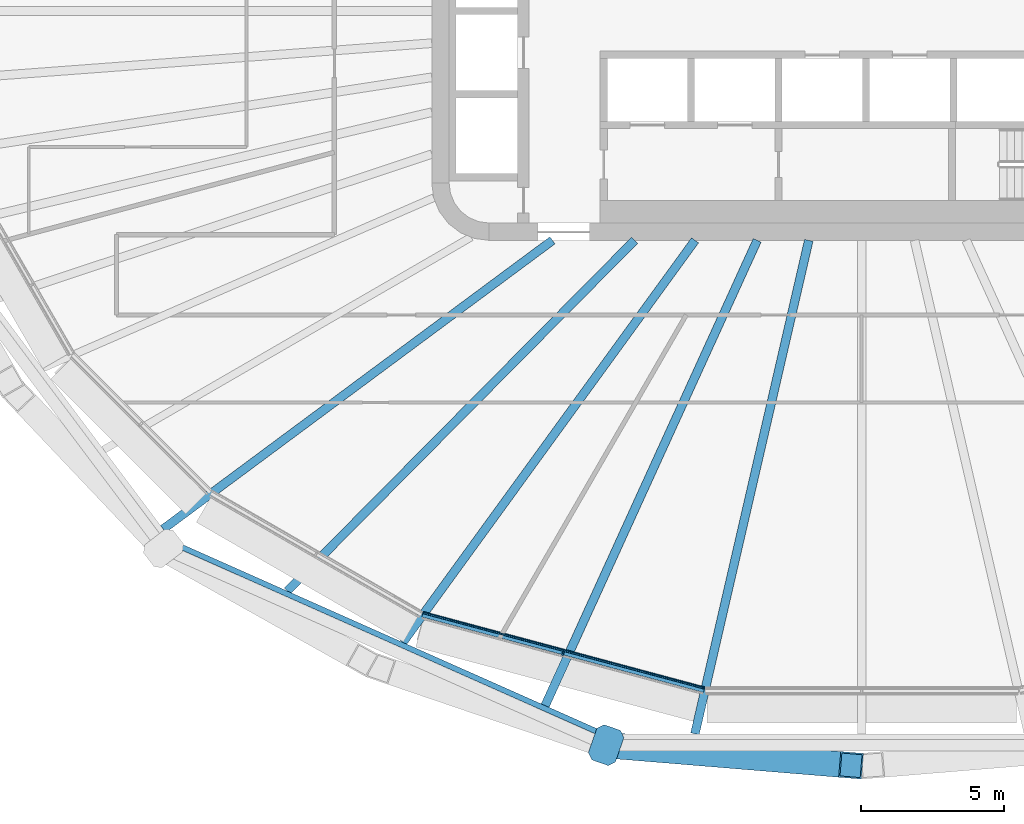
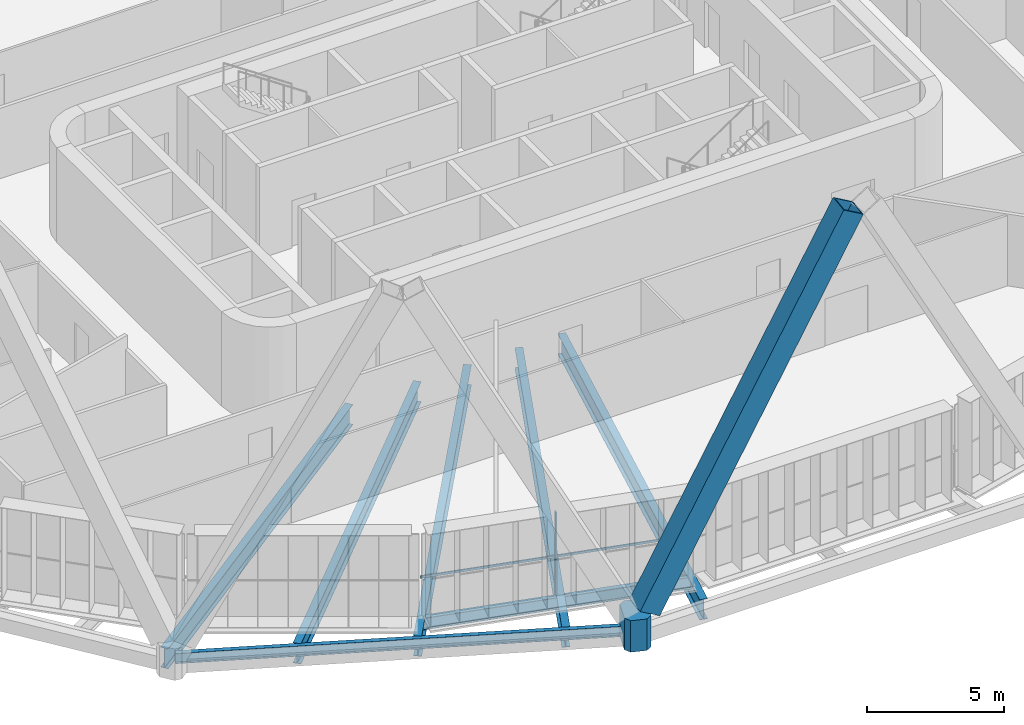
# One storey, part 2 of 26: 7 beams, 4 members, 1 element without a shape of its own.
"""IFC4 building model written with IfcOpenShell, lengths in metres."""

from ifc_helpers import new_model, si_unit, direction, frame, origin, origin_2d, place, context, subcontext, project, spatial, polyline, rectangle, hollow_rectangle, i_section, outline, extrude, material, layer, layer_set, material_profile, profile_set, type_object, element, aggregate, save


model = new_model("IFC4")

# Units and contexts
model_context = context("Model", 3, precision=1e-05, world=origin(), true_north=direction((0.0, 1.0)))
body_context = subcontext(model_context, "Body", "Model", "MODEL_VIEW")
ifc_project = project(units=[si_unit("LENGTHUNIT", "METRE"), si_unit("AREAUNIT", "SQUARE_METRE"), si_unit("VOLUMEUNIT", "CUBIC_METRE"), si_unit("PLANEANGLEUNIT", "RADIAN"), si_unit("MASSUNIT", "GRAM", prefix="KILO")], contexts=[model_context])

# Site, building, storey
site_placement = place(None, origin())
site = spatial("IfcSite", under=ifc_project, at=site_placement, CompositionType="ELEMENT")
building_placement = place(site_placement, origin())
building = spatial("IfcBuilding", under=site, at=building_placement, Name="Sahrelin Media Tower", CompositionType="ELEMENT")
storey_placement = place(building_placement, frame((0.0, 0.0, 131.39990234375)))
storey = spatial("IfcBuildingStorey", under=building, at=storey_placement, Name="L26", CompositionType="ELEMENT", Elevation=131.39990234375)

# Members
ifc_material_1 = material(Name="Steel S460", Category="steel")
ifc_material_profile_1 = material_profile(ifc_material_1, hollow_rectangle(XDim=0.89990234375, YDim=0.89990234375, WallThickness=0.050048828125, at=origin_2d()), Name="Diagrid diagonal DG3")
ifc_profile_set_1 = profile_set([ifc_material_profile_1], Name="Steel S460")
member_type_1 = type_object("IfcMemberType", Name="Diagrid diagonal DG3", PredefinedType="BRACE", material=ifc_profile_set_1)
member_1_placement = place(storey_placement, frame((-8.544189453125, -25.641845703125, 0.7001953125), z_axis=(0.468421655714, -0.03859318675, 0.882661723649), x_axis=(0.082111624118, 0.996623138997, 0.0)))
element("IfcMember", 1, at=member_1_placement, inside=storey, type_object=member_type_1, Name="Diagrid diagonal D05-17", PredefinedType="BRACE", context=body_context, shape_type="SweptSolid", body=[
    extrude(hollow_rectangle(XDim=0.89990234375, YDim=0.89990234375, WallThickness=0.050048828125, at=origin_2d()), origin(), (0.0, 0.0, 1.0), 17.447021484375),
])
ifc_material_profile_2 = material_profile(ifc_material_1, outline(polyline([(0.449951171875, -0.5), (0.64990234375, -0.300048828125), (0.64990234375, 0.300048828125), (0.449951171875, 0.5), (-0.449951171875, 0.5), (-0.64990234375, 0.300048828125), (-0.64990234375, -0.300048828125), (-0.449951171875, -0.5), (0.449951171875, -0.5)])), Name="Diagrid node block 1300")
ifc_profile_set_2 = profile_set([ifc_material_profile_2], Name="Steel S460")
member_type_2 = type_object("IfcMemberType", Name="Diagrid node block 1300", PredefinedType="USERDEFINED", material=ifc_profile_set_2)
member_2_placement = place(storey_placement, frame((-8.915771484375, -25.611083984375, -0.699951171875), z_axis=(0.0, 0.0, 1.0), x_axis=(-0.328769398381, -0.944410230085, 0.0)))
element("IfcMember", 2, at=member_2_placement, inside=storey, type_object=member_type_2, Name="Diagrid node N05-08", ObjectType="NODE", PredefinedType="USERDEFINED", context=body_context, shape_type="SweptSolid", body=[
    extrude(outline(polyline([(0.449951171875, -0.5), (0.64990234375, -0.300048828125), (0.64990234375, 0.300048828125), (0.449951171875, 0.5), (-0.449951171875, 0.5), (-0.64990234375, 0.300048828125), (-0.64990234375, -0.300048828125), (-0.449951171875, -0.5), (0.449951171875, -0.5)])), origin(), (0.0, 0.0, 1.0), 1.400146484375),
])

# Beam
ifc_material_2 = material(Name="Steel S355", Category="steel")
ifc_material_profile_3 = material_profile(ifc_material_2, i_section(OverallWidth=0.208740234375, OverallDepth=0.5283203125, WebThickness=0.009521484375, FlangeThickness=0.01318359375, FilletRadius=0.0126953125, at=origin_2d()), Name="UB 533x210x82")
ifc_profile_set_3 = profile_set([ifc_material_profile_3], Name="Steel S355")
beam_type_1 = type_object("IfcBeamType", Name="Edge beam EB6", PredefinedType="BEAM", material=ifc_profile_set_3)
beam_1_placement = place(storey_placement, frame((-5.4921875, -23.673095703125, -0.4140625), z_axis=(-0.965933162878, 0.258791663026, 0.0), x_axis=(-0.258791663026, -0.965933162878, 0.0)))
element("IfcBeam", 3, at=beam_1_placement, inside=storey, type_object=beam_type_1, Name="Edge beam L26-08", PredefinedType="BEAM", context=body_context, shape_type="SweptSolid", body=[
    extrude(i_section(OverallWidth=0.208740234375, OverallDepth=0.5283203125, WebThickness=0.009521484375, FlangeThickness=0.01318359375, FilletRadius=0.0126953125, at=origin_2d()), origin(), (0.0, 0.0, 1.0), 10.173583984375),
])

# Curtain wall, member
ifc_material_3 = material(Name="Champagne anodised aluminium 6063-T6", Category="aluminium")
ifc_layer = layer(ifc_material_3, 0.14990234375)
ifc_layer_set = layer_set([ifc_layer], Name="Tower ribbon curtain wall")
curtain_wall_type = type_object("IfcCurtainWallType", Name="Tower ribbon curtain wall", PredefinedType="NOTDEFINED", material=ifc_layer_set)
curtain_wall_placement = place(storey_placement, frame((-10.4443359375, -22.501708984375, 0.0), z_axis=(0.0, 0.0, 1.0), x_axis=(1.0, 0.0, 0.0)))
curtain_wall = element("IfcCurtainWall", 4, at=curtain_wall_placement, inside=storey, type_object=curtain_wall_type, Name="L26:CW:L26-17", PredefinedType="NOTDEFINED")
ifc_material_profile_4 = material_profile(ifc_material_3, rectangle(XDim=0.06005859375, YDim=0.14990234375, at=origin_2d()), Name="Mullion 60x150")
ifc_profile_set_4 = profile_set([ifc_material_profile_4], Name="Champagne anodised aluminium 6063-T6")
member_type_3 = type_object("IfcMemberType", Name="Mullion 60x150 CW1", PredefinedType="MULLION", material=ifc_profile_set_4)
member_3_placement = place(storey_placement, frame((-10.419921875, -22.409912109375, 0.0), z_axis=(0.0, 0.0, 1.0), x_axis=(0.965926278012, -0.258817359244, 0.0)))
member_3 = element("IfcMember", 5, at=member_3_placement, type_object=member_type_3, Name="L26:CWM:L26-17", PredefinedType="MULLION", context=body_context, shape_type="SweptSolid", body=[
    extrude(rectangle(XDim=0.06005859375, YDim=0.14990234375, at=origin_2d()), origin(), (0.0, 0.0, 1.0), 3.648681640625),
])

# Beams
ifc_material_profile_5 = material_profile(ifc_material_2, i_section(OverallWidth=0.30322265625, OverallDepth=0.903076171875, WebThickness=0.01513671875, FlangeThickness=0.020263671875, FilletRadius=0.01904296875, at=origin_2d()), Name="UB 914x305x201")
ifc_profile_set_5 = profile_set([ifc_material_profile_5], Name="Steel S355")
beam_type_2 = type_object("IfcBeamType", Name="Radial primary beam PB11", PredefinedType="BEAM", material=ifc_profile_set_5)
beam_2_placement = place(storey_placement, frame((-10.7880859375, -8.0, -0.601318359375), z_axis=(-0.803231499459, -0.595666986056, 0.0), x_axis=(0.595666986056, -0.803231499459, 0.0)))
element("IfcBeam", 6, at=beam_2_placement, inside=storey, type_object=beam_type_2, Name="Radial beam L26-16", PredefinedType="BEAM", context=body_context, shape_type="SweptSolid", body=[
    extrude(i_section(OverallWidth=0.30322265625, OverallDepth=0.903076171875, WebThickness=0.01513671875, FlangeThickness=0.020263671875, FilletRadius=0.01904296875, at=origin_2d()), origin(), (0.0, 0.0, 1.0), 16.910400390625),
])
beam_3_placement = place(storey_placement, frame((-5.814453125, -8.0, -0.601318359375), z_axis=(-0.587913818186, -0.808923570176, 0.0), x_axis=(0.808923570176, -0.587913818186, 0.0)))
element("IfcBeam", 7, at=beam_3_placement, inside=storey, type_object=beam_type_2, Name="Radial beam L26-17", PredefinedType="BEAM", context=body_context, shape_type="SweptSolid", body=[
    extrude(i_section(OverallWidth=0.30322265625, OverallDepth=0.903076171875, WebThickness=0.01513671875, FlangeThickness=0.020263671875, FilletRadius=0.01904296875, at=origin_2d()), origin(), (0.0, 0.0, 1.0), 17.33984375),
])
beam_4_placement = place(storey_placement, frame((-1.845947265625, -8.0, -0.601318359375), z_axis=(-0.22483427695, -0.9743970176, 0.0), x_axis=(0.9743970176, -0.22483427695, 0.0)))
element("IfcBeam", 8, at=beam_4_placement, inside=storey, type_object=beam_type_2, Name="Radial beam L26-18", PredefinedType="BEAM", context=body_context, shape_type="SweptSolid", body=[
    extrude(i_section(OverallWidth=0.30322265625, OverallDepth=0.903076171875, WebThickness=0.01513671875, FlangeThickness=0.020263671875, FilletRadius=0.01904296875, at=origin_2d()), origin(), (0.0, 0.0, 1.0), 17.668212890625),
])
ifc_material_profile_6 = material_profile(ifc_material_2, i_section(OverallWidth=0.30322265625, OverallDepth=0.903076171875, WebThickness=0.01513671875, FlangeThickness=0.020263671875, FilletRadius=0.01904296875, at=origin_2d()), Name="UB 914x305x201")
ifc_profile_set_6 = profile_set([ifc_material_profile_6], Name="Steel S355")
beam_type_3 = type_object("IfcBeamType", Name="Radial secondary beam SB11", PredefinedType="BEAM", material=ifc_profile_set_6)
beam_5_placement = place(storey_placement, frame((-7.923583984375, -8.0, -0.601318359375), z_axis=(-0.70370303488, -0.71049422144, 0.0), x_axis=(0.71049422144, -0.70370303488, 0.0)))
element("IfcBeam", 9, at=beam_5_placement, inside=storey, type_object=beam_type_3, Name="Secondary beam L26-16", PredefinedType="BEAM", context=body_context, shape_type="SweptSolid", body=[
    extrude(i_section(OverallWidth=0.30322265625, OverallDepth=0.903076171875, WebThickness=0.01513671875, FlangeThickness=0.020263671875, FilletRadius=0.01904296875, at=origin_2d()), origin(), (0.0, 0.0, 1.0), 17.219970703125),
])
beam_6_placement = place(storey_placement, frame((-3.64599609375, -8.0, -0.601318359375), z_axis=(-0.414718365894, -0.909949821138, 0.0), x_axis=(0.909949821138, -0.414718365894, 0.0)))
element("IfcBeam", 10, at=beam_6_placement, inside=storey, type_object=beam_type_3, Name="Secondary beam L26-17", PredefinedType="BEAM", context=body_context, shape_type="SweptSolid", body=[
    extrude(i_section(OverallWidth=0.30322265625, OverallDepth=0.903076171875, WebThickness=0.01513671875, FlangeThickness=0.020263671875, FilletRadius=0.01904296875, at=origin_2d()), origin(), (0.0, 0.0, 1.0), 17.839111328125),
])
ifc_material_profile_7 = material_profile(ifc_material_2, i_section(OverallWidth=0.1904296875, OverallDepth=0.45703125, WebThickness=0.009033203125, FlangeThickness=0.014404296875, FilletRadius=0.01025390625, at=origin_2d()), Name="UB 457x191x74")
ifc_profile_set_7 = profile_set([ifc_material_profile_7], Name="Steel S355")
beam_type_4 = type_object("IfcBeamType", Name="Tie chord TC5", PredefinedType="BEAM", material=ifc_profile_set_7)
beam_7_placement = place(storey_placement, frame((-8.85205078125, -25.31103515625, -0.37841796875), z_axis=(-0.913832575306, 0.406091152711, 0.0), x_axis=(-0.406091152711, -0.913832575306, 0.0)))
element("IfcBeam", 11, at=beam_7_placement, inside=storey, type_object=beam_type_4, Name="Tie chord L26-05", PredefinedType="BEAM", context=body_context, shape_type="SweptSolid", body=[
    extrude(i_section(OverallWidth=0.1904296875, OverallDepth=0.45703125, WebThickness=0.009033203125, FlangeThickness=0.014404296875, FilletRadius=0.01025390625, at=origin_2d()), origin(), (0.0, 0.0, 1.0), 16.757080078125),
])

# Member
ifc_material_profile_8 = material_profile(ifc_material_3, rectangle(XDim=0.050048828125, YDim=0.10009765625, at=origin_2d()), Name="Transom 50x100")
ifc_profile_set_8 = profile_set([ifc_material_profile_8], Name="Champagne anodised aluminium 6063-T6")
member_type_4 = type_object("IfcMemberType", Name="Transom 50x100 CW1", PredefinedType="USERDEFINED", material=ifc_profile_set_8)
member_4_placement = place(storey_placement, frame((-15.2919921875, -21.000732421875, 1.60009765625), z_axis=(0.965924197151, -0.25882512505, 0.0), x_axis=(0.25882512505, 0.965924197151, 0.0)))
member_4 = element("IfcMember", 12, at=member_4_placement, type_object=member_type_4, Name="L26:CWT:L26-17", ObjectType="TRANSOM", PredefinedType="USERDEFINED", context=body_context, shape_type="SweptSolid", body=[
    extrude(rectangle(XDim=0.050048828125, YDim=0.10009765625, at=origin_2d()), origin(), (0.0, 0.0, 1.0), 10.14208984375),
])

aggregate(curtain_wall, [member_3, member_4])

save(model, "model.ifc")
